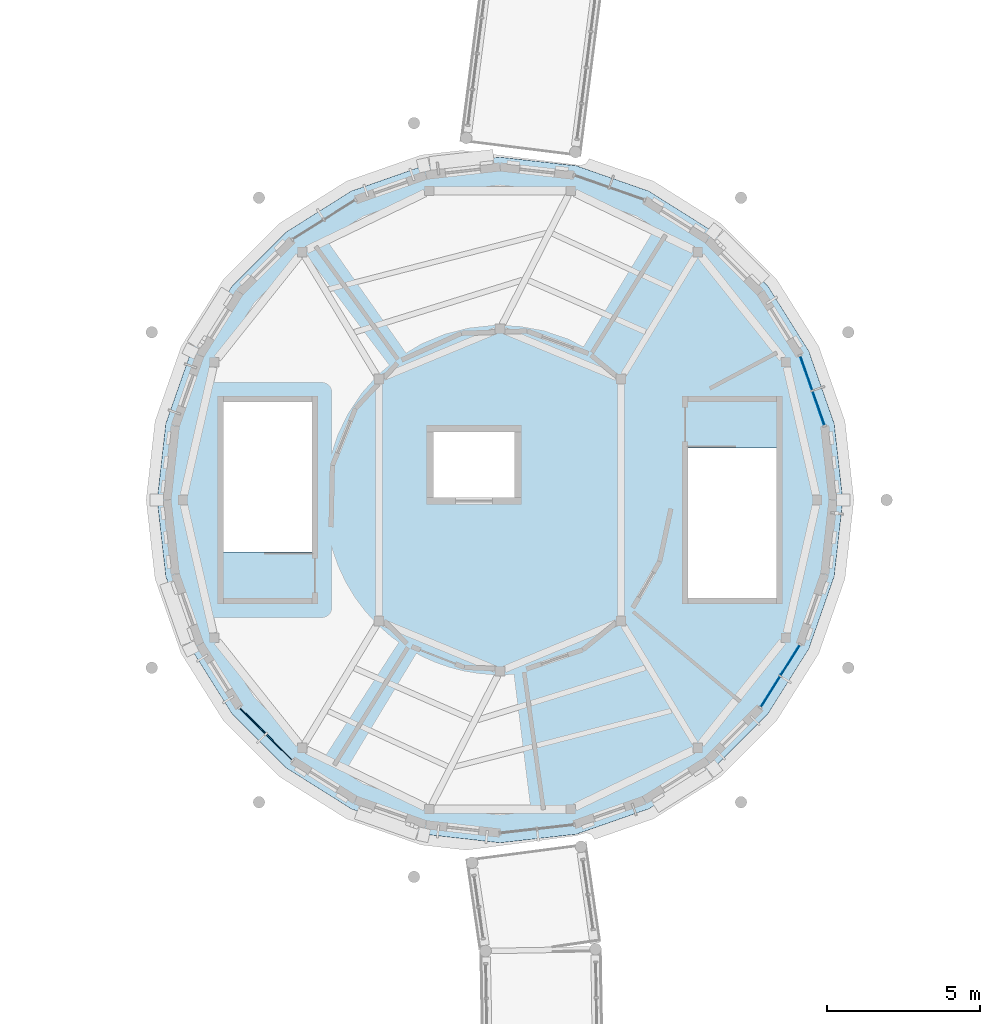
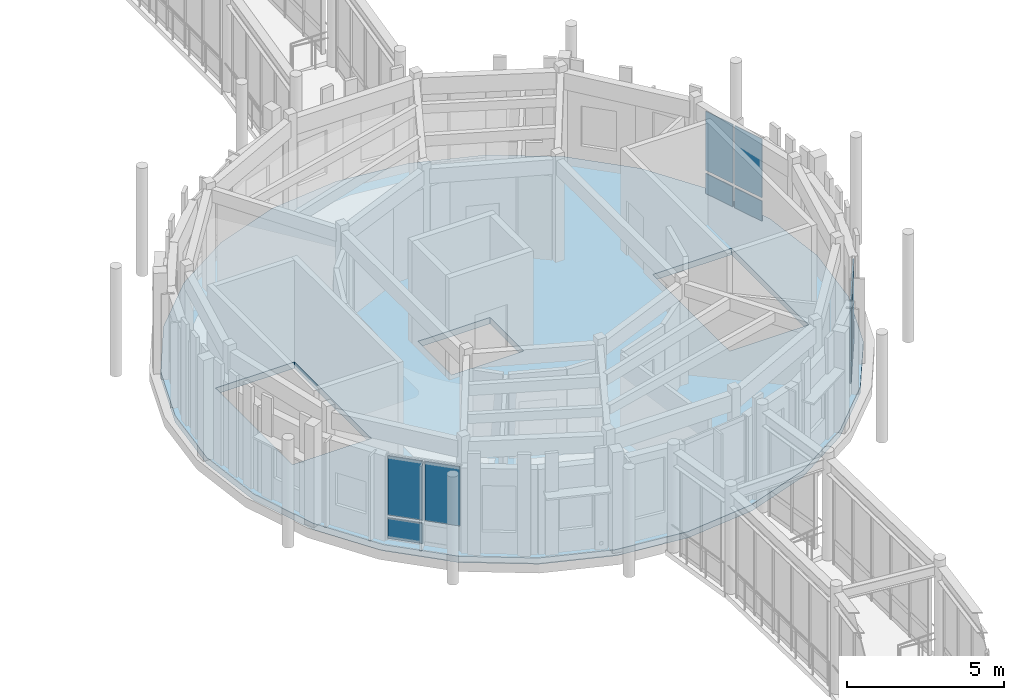
# One storey, part 32 of 80: 11 plates, 1 slab, 3 elements without a shape of their own.
"""IFC4 building model written with IfcOpenShell, lengths in metres."""

from ifc_helpers import new_model, si_unit, direction, frame, origin, origin_2d, place, context, subcontext, project, spatial, polyline, rectangle, outline, extrude, material, layer, layer_set, type_object, element, aggregate, save


model = new_model("IFC4")

# Units and contexts
model_context = context("Model", 3, precision=1e-05, world=origin(), true_north=direction((0.0, 1.0)))
body_context = subcontext(model_context, "Body", "Model", "MODEL_VIEW")
ifc_project = project(units=[si_unit("LENGTHUNIT", "METRE"), si_unit("AREAUNIT", "SQUARE_METRE"), si_unit("VOLUMEUNIT", "CUBIC_METRE"), si_unit("PLANEANGLEUNIT", "RADIAN"), si_unit("MASSUNIT", "GRAM", prefix="KILO")], contexts=[model_context])

# Site, building, storey
site_placement = place(None, origin())
site = spatial("IfcSite", under=ifc_project, at=site_placement, CompositionType="ELEMENT")
building_placement = place(site_placement, origin())
building = spatial("IfcBuilding", under=site, at=building_placement, Name="Aldenvaro Health Centre", CompositionType="ELEMENT")
storey_placement = place(building_placement, frame((0.0, 0.0, 4.550048828125)))
storey = spatial("IfcBuildingStorey", under=building, at=storey_placement, Name="L01", CompositionType="ELEMENT", Elevation=4.550048828125)

# Curtain wall, plates
ifc_material_1 = material(Name="Anodised Aluminium 6063-T6", Category="aluminium")
ifc_layer_1 = layer(ifc_material_1, 0.195068359375, Name="Anodised Aluminium 6063-T6", Category="aluminium")
ifc_layer_set_1 = layer_set([ifc_layer_1], Name="Anodised Aluminium 6063-T6")
curtain_wall_type = type_object("IfcCurtainWallType", Name="CW-CLN-02", PredefinedType="NOTDEFINED", material=ifc_layer_set_1)
curtain_wall_1_placement = place(storey_placement, origin())
curtain_wall_1 = element("IfcCurtainWall", 1, at=curtain_wall_1_placement, inside=storey, type_object=curtain_wall_type, Name="D3 L01 curtain wall bay 03", PredefinedType="NOTDEFINED")
ifc_material_2 = material(Name="Low-E Double Glazing IGU", Category="glass")
ifc_layer_2 = layer(ifc_material_2, 0.028076171875, Name="Low-E Double Glazing IGU", Category="glass")
ifc_layer_set_2 = layer_set([ifc_layer_2], Name="Low-E Double Glazing IGU")
plate_type_1 = type_object("IfcPlateType", Name="CWP-IGU-28", PredefinedType="CURTAIN_PANEL", material=ifc_layer_set_2)
plate_1_placement = place(storey_placement, frame((32.99609375, 52.25390625, 0.9599609375), z_axis=(0.0, 0.0, 1.0), x_axis=(-0.532096042675, -0.846684003256, 0.0)))
plate_1 = element("IfcPlate", 2, at=plate_1_placement, type_object=plate_type_1, Name="D3 L01 curtain wall bay 03 vision glazing 1", PredefinedType="CURTAIN_PANEL", context=body_context, shape_type="SweptSolid", body=[
    extrude(rectangle(XDim=1.15087890625, YDim=0.028076171875, at=origin_2d()), origin(), (0.0, 0.0, 1.0), 2.2939453125),
])
plate_2_placement = place(storey_placement, frame((32.346923828125, 51.220947265625, 0.9599609375), z_axis=(0.0, 0.0, 1.0), x_axis=(-0.532096042675, -0.846684003256, 0.0)))
plate_2 = element("IfcPlate", 3, at=plate_2_placement, type_object=plate_type_1, Name="D3 L01 curtain wall bay 03 vision glazing 2", PredefinedType="CURTAIN_PANEL", context=body_context, shape_type="SweptSolid", body=[
    extrude(rectangle(XDim=1.15087890625, YDim=0.028076171875, at=origin_2d()), origin(), (0.0, 0.0, 1.0), 2.2939453125),
])

curtain_wall_2_placement = place(storey_placement, origin())
curtain_wall_2 = element("IfcCurtainWall", 4, at=curtain_wall_2_placement, inside=storey, type_object=curtain_wall_type, Name="D3 L01 curtain wall bay 11", PredefinedType="NOTDEFINED")
plate_3_placement = place(storey_placement, frame((16.27294921875, 49.409912109375, 0.9599609375), z_axis=(0.0, 0.0, 1.0), x_axis=(-0.707106781187, 0.707106781187, 0.0)))
plate_3 = element("IfcPlate", 5, at=plate_3_placement, type_object=plate_type_1, Name="D3 L01 curtain wall bay 11 vision glazing 1", PredefinedType="CURTAIN_PANEL", context=body_context, shape_type="SweptSolid", body=[
    extrude(rectangle(XDim=1.14990234375, YDim=0.028076171875, at=origin_2d()), origin(), (0.0, 0.0, 1.0), 2.2939453125),
])
plate_4_placement = place(storey_placement, frame((15.408935546875, 50.27294921875, 0.9599609375), z_axis=(0.0, 0.0, 1.0), x_axis=(-0.707106781187, 0.707106781187, 0.0)))
plate_4 = element("IfcPlate", 6, at=plate_4_placement, type_object=plate_type_1, Name="D3 L01 curtain wall bay 11 vision glazing 2", PredefinedType="CURTAIN_PANEL", context=body_context, shape_type="SweptSolid", body=[
    extrude(rectangle(XDim=1.14990234375, YDim=0.028076171875, at=origin_2d()), origin(), (0.0, 0.0, 1.0), 2.2939453125),
])

curtain_wall_3_placement = place(storey_placement, origin())
curtain_wall_3 = element("IfcCurtainWall", 7, at=curtain_wall_3_placement, inside=storey, type_object=curtain_wall_type, Name="D3 L01 curtain wall bay 27", PredefinedType="NOTDEFINED")
plate_5_placement = place(storey_placement, frame((33.52294921875, 61.653076171875, 0.9599609375), z_axis=(0.0, 0.0, 1.0), x_axis=(0.330204431323, -0.943909441385, 0.0)))
plate_5 = element("IfcPlate", 8, at=plate_5_placement, type_object=plate_type_1, Name="D3 L01 curtain wall bay 27 vision glazing 1", PredefinedType="CURTAIN_PANEL", context=body_context, shape_type="SweptSolid", body=[
    extrude(rectangle(XDim=1.14990234375, YDim=0.028076171875, at=origin_2d()), origin(), (0.0, 0.0, 1.0), 2.2939453125),
])
plate_6_placement = place(storey_placement, frame((33.925048828125, 60.5009765625, 0.9599609375), z_axis=(0.0, 0.0, 1.0), x_axis=(0.330204431323, -0.943909441385, 0.0)))
plate_6 = element("IfcPlate", 9, at=plate_6_placement, type_object=plate_type_1, Name="D3 L01 curtain wall bay 27 vision glazing 2", PredefinedType="CURTAIN_PANEL", context=body_context, shape_type="SweptSolid", body=[
    extrude(rectangle(XDim=1.14990234375, YDim=0.028076171875, at=origin_2d()), origin(), (0.0, 0.0, 1.0), 2.2939453125),
])

# Plate
ifc_material_3 = material(Name="Insulated Aluminium Spandrel", Category="aluminium")
ifc_layer_3 = layer(ifc_material_3, 0.035888671875, Name="Insulated Aluminium Spandrel", Category="aluminium")
ifc_layer_set_3 = layer_set([ifc_layer_3], Name="Insulated Aluminium Spandrel")
plate_type_2 = type_object("IfcPlateType", Name="CWP-SPN-36", PredefinedType="CURTAIN_PANEL", material=ifc_layer_set_3)
plate_7_placement = place(storey_placement, frame((32.99609375, 52.25390625, 0.06005859375), z_axis=(0.0, 0.0, 1.0), x_axis=(-0.532096042675, -0.846684003256, 0.0)))
plate_7 = element("IfcPlate", 10, at=plate_7_placement, type_object=plate_type_2, Name="D3 L01 curtain wall bay 03 spandrel panel 1", PredefinedType="CURTAIN_PANEL", context=body_context, shape_type="SweptSolid", body=[
    extrude(rectangle(XDim=1.15087890625, YDim=0.035888671875, at=origin_2d()), origin(), (0.0, 0.0, 1.0), 0.780029296875),
])

plate_8_placement = place(storey_placement, frame((32.346923828125, 51.220947265625, 0.06005859375), z_axis=(0.0, 0.0, 1.0), x_axis=(-0.532096042675, -0.846684003256, 0.0)))
plate_8 = element("IfcPlate", 11, at=plate_8_placement, type_object=plate_type_2, Name="D3 L01 curtain wall bay 03 spandrel panel 2", PredefinedType="CURTAIN_PANEL", context=body_context, shape_type="SweptSolid", body=[
    extrude(rectangle(XDim=1.15087890625, YDim=0.035888671875, at=origin_2d()), origin(), (0.0, 0.0, 1.0), 0.780029296875),
])

aggregate(curtain_wall_1, [plate_7, plate_1, plate_8, plate_2])

plate_9_placement = place(storey_placement, frame((15.408935546875, 50.27294921875, 0.06005859375), z_axis=(0.0, 0.0, 1.0), x_axis=(-0.707106781187, 0.707106781187, 0.0)))
plate_9 = element("IfcPlate", 12, at=plate_9_placement, type_object=plate_type_2, Name="D3 L01 curtain wall bay 11 spandrel panel 2", PredefinedType="CURTAIN_PANEL", context=body_context, shape_type="SweptSolid", body=[
    extrude(rectangle(XDim=1.14990234375, YDim=0.035888671875, at=origin_2d()), origin(), (0.0, 0.0, 1.0), 0.780029296875),
])

aggregate(curtain_wall_2, [plate_3, plate_9, plate_4])

plate_10_placement = place(storey_placement, frame((33.52294921875, 61.653076171875, 0.06005859375), z_axis=(0.0, 0.0, 1.0), x_axis=(0.330204431323, -0.943909441385, 0.0)))
plate_10 = element("IfcPlate", 13, at=plate_10_placement, type_object=plate_type_2, Name="D3 L01 curtain wall bay 27 spandrel panel 1", PredefinedType="CURTAIN_PANEL", context=body_context, shape_type="SweptSolid", body=[
    extrude(rectangle(XDim=1.14990234375, YDim=0.035888671875, at=origin_2d()), origin(), (0.0, 0.0, 1.0), 0.780029296875),
])

plate_11_placement = place(storey_placement, frame((33.925048828125, 60.5009765625, 0.06005859375), z_axis=(0.0, 0.0, 1.0), x_axis=(0.330204431323, -0.943909441385, 0.0)))
plate_11 = element("IfcPlate", 14, at=plate_11_placement, type_object=plate_type_2, Name="D3 L01 curtain wall bay 27 spandrel panel 2", PredefinedType="CURTAIN_PANEL", context=body_context, shape_type="SweptSolid", body=[
    extrude(rectangle(XDim=1.14990234375, YDim=0.035888671875, at=origin_2d()), origin(), (0.0, 0.0, 1.0), 0.780029296875),
])

aggregate(curtain_wall_3, [plate_10, plate_5, plate_11, plate_6])

# Slab
ifc_material_4 = material(Name="Cross-laminated timber CLT E1", Category="wood")
ifc_layer_4 = layer(ifc_material_4, 0.2451171875, Name="Cross-laminated timber CLT E1", Category="wood")
ifc_layer_set_4 = layer_set([ifc_layer_4], Name="Cross-laminated timber CLT E1")
slab_type = type_object("IfcSlabType", Name="SLB-CLT-245", PredefinedType="FLOOR", material=ifc_layer_set_4)
slab_placement = place(storey_placement, frame((0.0, 0.0, -0.2451171875)))
element("IfcSlab", 15, at=slab_placement, inside=storey, type_object=slab_type, Name="D3 L01 floor slab", PredefinedType="FLOOR", context=body_context, shape_type="SweptSolid", body=[
    extrude(outline(polyline([(34.719970703125, 57.5), (34.43896484375, 59.9970703125), (33.60888671875, 62.367919921875), (32.27197265625, 64.49609375), (30.49609375, 66.27197265625), (28.367919921875, 67.60888671875), (25.9970703125, 68.43896484375), (23.5, 68.719970703125), (21.0029296875, 68.43896484375), (18.632080078125, 67.60888671875), (16.50390625, 66.27197265625), (14.72802734375, 64.49609375), (13.39111328125, 62.367919921875), (12.56103515625, 59.9970703125), (12.280029296875, 57.5), (12.56103515625, 55.0029296875), (13.39111328125, 52.632080078125), (14.72802734375, 50.50390625), (16.50390625, 48.72802734375), (18.632080078125, 47.39111328125), (21.0029296875, 46.56103515625), (23.5, 46.280029296875), (25.9970703125, 46.56103515625), (28.367919921875, 47.39111328125), (30.49609375, 48.72802734375), (32.27197265625, 50.50390625), (33.60888671875, 52.632080078125), (34.43896484375, 55.0029296875), (34.719970703125, 57.5)]), holes=[polyline([(29.64990234375, 59.199951171875), (29.64990234375, 54.300048828125), (32.550048828125, 54.300048828125), (32.550048828125, 59.199951171875), (29.64990234375, 59.199951171875)]), polyline([(17.35009765625, 55.800048828125), (17.35009765625, 60.699951171875), (14.449951171875, 60.699951171875), (14.449951171875, 55.800048828125), (17.35009765625, 55.800048828125)]), polyline([(21.324951171875, 57.574951171875), (23.97509765625, 57.574951171875), (23.97509765625, 59.72509765625), (21.324951171875, 59.72509765625), (21.324951171875, 57.574951171875)])]), origin(), (0.0, 0.0, 1.0), 0.2451171875),
])

save(model, "model.ifc")
